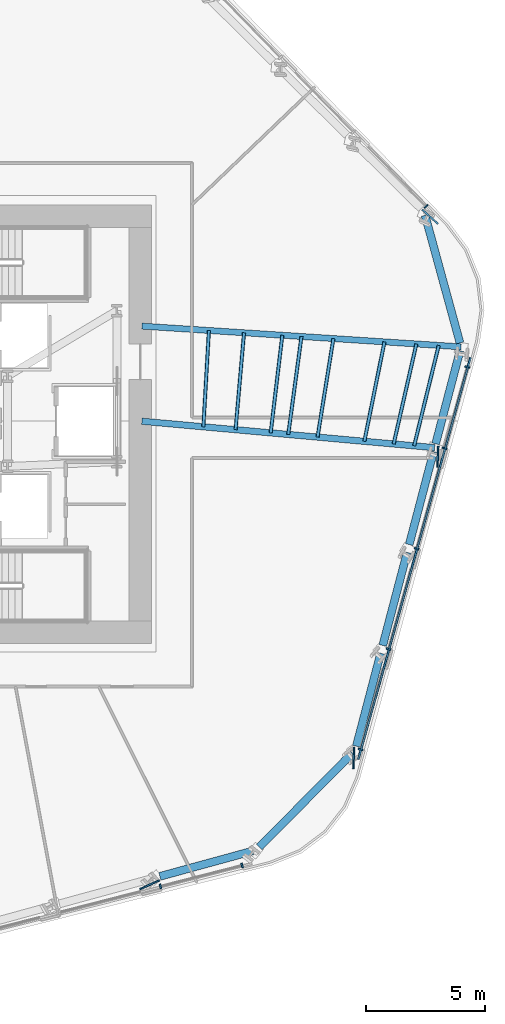
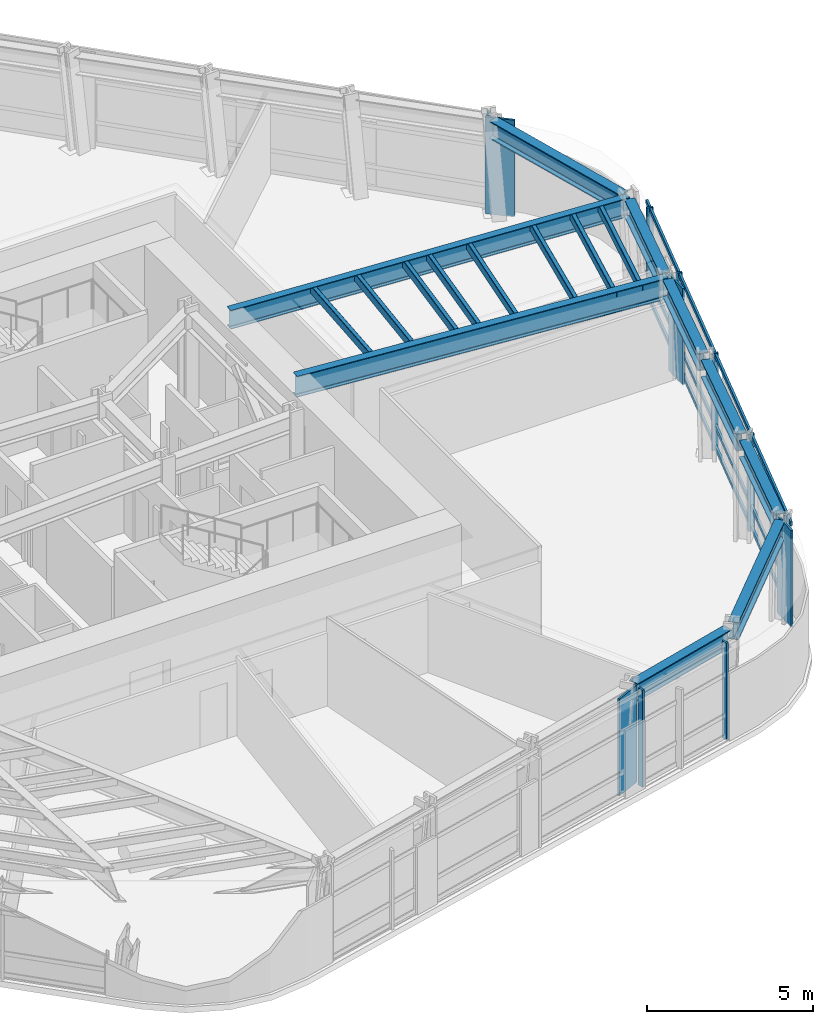
# One storey, part 5 of 17: 24 members, 9 beams, 3 elements without a shape of their own.
"""IFC4 building model written with IfcOpenShell, lengths in metres."""

from ifc_helpers import new_model, si_unit, direction, frame, origin, origin_2d, place, context, subcontext, project, spatial, rectangle, hollow_rectangle, i_section, extrude, material, layer, layer_set, material_profile, profile_set, type_object, element, aggregate, save


model = new_model("IFC4")

# Units and contexts
model_context = context("Model", 3, precision=1e-05, world=origin(), true_north=direction((0.0, 1.0)))
body_context = subcontext(model_context, "Body", "Model", "MODEL_VIEW")
ifc_project = project(units=[si_unit("LENGTHUNIT", "METRE"), si_unit("AREAUNIT", "SQUARE_METRE"), si_unit("VOLUMEUNIT", "CUBIC_METRE"), si_unit("PLANEANGLEUNIT", "RADIAN"), si_unit("MASSUNIT", "GRAM", prefix="KILO")], contexts=[model_context])

# Site, building, storey
site_placement = place(None, origin())
site = spatial("IfcSite", under=ifc_project, at=site_placement, CompositionType="ELEMENT")
building_placement = place(site_placement, origin())
building = spatial("IfcBuilding", under=site, at=building_placement, Name="Valkerne Bourse Tower", CompositionType="ELEMENT")
storey_placement = place(building_placement, frame((0.0, 0.0, 85.800048828125)))
storey = spatial("IfcBuildingStorey", under=building, at=storey_placement, Name="L21", CompositionType="ELEMENT", Elevation=85.800048828125)

# Beams
ifc_material_1 = material(Name="Steel ASTM A992", Category="steel")
ifc_material_profile_1 = material_profile(ifc_material_1, i_section(OverallWidth=0.330078125, OverallDepth=0.647705078125, WebThickness=0.0205078125, FlangeThickness=0.037109375, FilletRadius=0.020263671875, at=origin_2d()), Name="W24X192")
ifc_profile_set_1 = profile_set([ifc_material_profile_1], Name="Steel ASTM A992")
beam_type_1 = type_object("IfcBeamType", Name="BM-W24X192", PredefinedType="SPANDREL", material=ifc_profile_set_1)
beam_1_placement = place(storey_placement, frame((56.756103515625, 7.861083984375, 3.256103515625), z_axis=(0.964553089096, 0.263888874936, 0.0), x_axis=(-0.263888874936, 0.964553089096, 0.0)))
element("IfcBeam", 1, at=beam_1_placement, inside=storey, type_object=beam_type_1, Name="L21 Hexagonal Spandrel Ring Beam 23", PredefinedType="SPANDREL", context=body_context, shape_type="SweptSolid", body=[
    extrude(i_section(OverallWidth=0.330078125, OverallDepth=0.647705078125, WebThickness=0.0205078125, FlangeThickness=0.037109375, FilletRadius=0.020263671875, at=origin_2d()), origin(), (0.0, 0.0, 1.0), 4.04296875),
])
beam_2_placement = place(storey_placement, frame((60.939453125, 9.093505859375, 3.256103515625), z_axis=(0.703367764638, 0.710826130406, 0.0), x_axis=(-0.710826130406, 0.703367764638, 0.0)))
element("IfcBeam", 2, at=beam_2_placement, inside=storey, type_object=beam_type_1, Name="L21 Hexagonal Spandrel Ring Beam 24", PredefinedType="SPANDREL", context=body_context, shape_type="SweptSolid", body=[
    extrude(i_section(OverallWidth=0.330078125, OverallDepth=0.647705078125, WebThickness=0.0205078125, FlangeThickness=0.037109375, FilletRadius=0.020263671875, at=origin_2d()), origin(), (0.0, 0.0, 1.0), 5.564697265625),
])
for number, where, z_axis, x_axis, name in (
    (3, (65.01611328125, 13.334228515625, 3.256103515625), (0.25374417972, 0.967271363816, 0.0), (-0.967271363816, 0.25374417972, 0.0), "L21 Hexagonal Spandrel Ring Beam 25"),
    (4, (66.12841796875, 17.57373046875, 3.256103515625), (0.25374417972, 0.967271363816, 0.0), (-0.967271363816, 0.25374417972, 0.0), "L21 Hexagonal Spandrel Ring Beam 26"),
):
    element("IfcBeam", number, at=place(storey_placement, frame(where, z_axis=z_axis, x_axis=x_axis)), inside=storey, type_object=beam_type_1, Name=name, PredefinedType="SPANDREL", context=body_context, shape_type="SweptSolid", body=[
        extrude(i_section(OverallWidth=0.330078125, OverallDepth=0.647705078125, WebThickness=0.0205078125, FlangeThickness=0.037109375, FilletRadius=0.020263671875, at=origin_2d()), origin(), (0.0, 0.0, 1.0), 4.04296875),
    ])
beam_3_placement = place(storey_placement, frame((67.240478515625, 21.813232421875, 3.256103515625), z_axis=(0.253785853646, 0.96726043054, 0.0), x_axis=(-0.96726043054, 0.253785853646, 0.0)))
element("IfcBeam", 5, at=beam_3_placement, inside=storey, type_object=beam_type_1, Name="L21 Hexagonal Spandrel Ring Beam 27", PredefinedType="SPANDREL", context=body_context, shape_type="SweptSolid", body=[
    extrude(i_section(OverallWidth=0.330078125, OverallDepth=0.647705078125, WebThickness=0.0205078125, FlangeThickness=0.037109375, FilletRadius=0.020263671875, at=origin_2d()), origin(), (0.0, 0.0, 1.0), 4.043212890625),
])
beam_4_placement = place(storey_placement, frame((68.352783203125, 26.052734375, 3.256103515625), z_axis=(0.253800676893, 0.967256541156, 0.0), x_axis=(-0.967256541156, 0.253800676893, 0.0)))
element("IfcBeam", 6, at=beam_4_placement, inside=storey, type_object=beam_type_1, Name="L21 Hexagonal Spandrel Ring Beam 28", PredefinedType="SPANDREL", context=body_context, shape_type="SweptSolid", body=[
    extrude(i_section(OverallWidth=0.330078125, OverallDepth=0.647705078125, WebThickness=0.0205078125, FlangeThickness=0.037109375, FilletRadius=0.020263671875, at=origin_2d()), origin(), (0.0, 0.0, 1.0), 4.04296875),
])
beam_5_placement = place(storey_placement, frame((69.376953125, 30.2919921875, 3.256103515625), z_axis=(-0.263867259854, 0.964559002434, 0.0), x_axis=(-0.964559002434, -0.263867259854, 0.0)))
element("IfcBeam", 7, at=beam_5_placement, inside=storey, type_object=beam_type_1, Name="L21 Hexagonal Spandrel Ring Beam 29", PredefinedType="SPANDREL", context=body_context, shape_type="SweptSolid", body=[
    extrude(i_section(OverallWidth=0.330078125, OverallDepth=0.647705078125, WebThickness=0.0205078125, FlangeThickness=0.037109375, FilletRadius=0.020263671875, at=origin_2d()), origin(), (0.0, 0.0, 1.0), 5.564453125),
])
ifc_material_profile_2 = material_profile(ifc_material_1, i_section(OverallWidth=0.255859375, OverallDepth=0.693359375, WebThickness=0.014404296875, FlangeThickness=0.023681640625, FilletRadius=0.02294921875, at=origin_2d()), Name="W27X114")
ifc_profile_set_2 = profile_set([ifc_material_profile_2], Name="Steel ASTM A992")
beam_type_2 = type_object("IfcBeamType", Name="BM-W27X114", PredefinedType="BEAM", material=ifc_profile_set_2)
beam_6_placement = place(storey_placement, frame((69.421875, 30.1279296875, 3.233154296875), z_axis=(-0.997895861994, 0.064837092896, 0.0), x_axis=(-0.064837092896, -0.997895861994, 0.0)))
element("IfcBeam", 8, at=beam_6_placement, inside=storey, type_object=beam_type_2, Name="L21 Radial Composite Floor Beam 29", PredefinedType="BEAM", context=body_context, shape_type="SweptSolid", body=[
    extrude(i_section(OverallWidth=0.255859375, OverallDepth=0.693359375, WebThickness=0.014404296875, FlangeThickness=0.023681640625, FilletRadius=0.02294921875, at=origin_2d()), origin(), (0.0, 0.0, 1.0), 13.4501953125),
])
ifc_material_profile_3 = material_profile(ifc_material_1, i_section(OverallWidth=0.26806640625, OverallDepth=0.76953125, WebThickness=0.015625, FlangeThickness=0.025390625, FilletRadius=0.025390625, at=origin_2d()), Name="W30X132")
ifc_profile_set_3 = profile_set([ifc_material_profile_3], Name="Steel ASTM A992")
beam_type_3 = type_object("IfcBeamType", Name="BM-W30X132", PredefinedType="BEAM", material=ifc_profile_set_3)
beam_7_placement = place(storey_placement, frame((68.309814453125, 25.888427734375, 3.195068359375), z_axis=(-0.995947749058, 0.089933759772, 0.0), x_axis=(-0.089933759772, -0.995947749058, 0.0)))
element("IfcBeam", 9, at=beam_7_placement, inside=storey, type_object=beam_type_3, Name="L21 Radial Composite Floor Beam 28", PredefinedType="BEAM", context=body_context, shape_type="SweptSolid", body=[
    extrude(i_section(OverallWidth=0.26806640625, OverallDepth=0.76953125, WebThickness=0.015625, FlangeThickness=0.025390625, FilletRadius=0.025390625, at=origin_2d()), origin(), (0.0, 0.0, 1.0), 12.35986328125),
])

# Curtain wall, member
ifc_material_2 = material(Name="Aluminium AA 6063-T6", Category="aluminium")
ifc_layer = layer(ifc_material_2, 0.22998046875)
ifc_layer_set = layer_set([ifc_layer], Name="Aluminium AA 6063-T6")
curtain_wall_type = type_object("IfcCurtainWallType", Name="CW-02", PredefinedType="NOTDEFINED", material=ifc_layer_set)
curtain_wall_1_placement = place(storey_placement, origin())
curtain_wall_1 = element("IfcCurtainWall", 10, at=curtain_wall_1_placement, inside=storey, type_object=curtain_wall_type, Name="L21 Hexagonal Stick Curtain Wall Face 1", PredefinedType="NOTDEFINED")
ifc_material_profile_4 = material_profile(ifc_material_2, rectangle(XDim=0.074951171875, YDim=0.199951171875, at=origin_2d()), Name="CWM-75X200")
ifc_profile_set_4 = profile_set([ifc_material_profile_4], Name="Aluminium AA 6063-T6")
member_type_1 = type_object("IfcMemberType", Name="CW-MUL-220X75", PredefinedType="MULLION", material=ifc_profile_set_4)
member_1_placement = place(storey_placement, frame((67.948974609375, 36.029296875, 0.0), z_axis=(0.0, 0.0, 1.0), x_axis=(-0.699652940841, 0.714482863596, 0.0)))
member_1 = element("IfcMember", 11, at=member_1_placement, type_object=member_type_1, Name="CW-L21-F1 Jamb Mullion 00A", PredefinedType="MULLION", context=body_context, shape_type="SweptSolid", body=[
    extrude(rectangle(XDim=0.074951171875, YDim=0.199951171875, at=origin_2d()), origin(), (0.0, 0.0, 1.0), 3.579833984375),
])
aggregate(curtain_wall_1, [member_1])

# Curtain wall, members
curtain_wall_2_placement = place(storey_placement, origin())
curtain_wall_2 = element("IfcCurtainWall", 12, at=curtain_wall_2_placement, inside=storey, type_object=curtain_wall_type, Name="L21 Hexagonal Stick Curtain Wall Face 5", PredefinedType="NOTDEFINED")
member_2_placement = place(storey_placement, frame((56.781005859375, 7.43994140625, 0.0), z_axis=(0.0, 0.0, 1.0), x_axis=(0.96858358851, 0.248688222617, 0.0)))
member_2 = element("IfcMember", 13, at=member_2_placement, type_object=member_type_1, Name="CW-L21-F5 Jamb Mullion 03A", PredefinedType="MULLION", context=body_context, shape_type="SweptSolid", body=[
    extrude(rectangle(XDim=0.074951171875, YDim=0.199951171875, at=origin_2d()), origin(), (0.0, 0.0, 1.0), 3.579833984375),
])
member_3_placement = place(storey_placement, frame((60.212646484375, 8.321044921875, 0.0), z_axis=(0.0, 0.0, 1.0), x_axis=(0.96858358851, 0.248688222617, 0.0)))
member_3 = element("IfcMember", 14, at=member_3_placement, type_object=member_type_1, Name="CW-L21-F5 Jamb Mullion 03B", PredefinedType="MULLION", context=body_context, shape_type="SweptSolid", body=[
    extrude(rectangle(XDim=0.074951171875, YDim=0.199951171875, at=origin_2d()), origin(), (0.0, 0.0, 1.0), 3.579833984375),
])
aggregate(curtain_wall_2, [member_2, member_3])

curtain_wall_3_placement = place(storey_placement, origin())
curtain_wall_3 = element("IfcCurtainWall", 15, at=curtain_wall_3_placement, inside=storey, type_object=curtain_wall_type, Name="L21 Hexagonal Stick Curtain Wall Face 6", PredefinedType="NOTDEFINED")
member_4_placement = place(storey_placement, frame((65.194091796875, 13.19921875, 0.0), z_axis=(0.0, 0.0, 1.0), x_axis=(0.268900369917, 0.963167997318, 0.0)))
member_4 = element("IfcMember", 16, at=member_4_placement, type_object=member_type_1, Name="CW-L21-F6 Jamb Mullion 00A", PredefinedType="MULLION", context=body_context, shape_type="SweptSolid", body=[
    extrude(rectangle(XDim=0.074951171875, YDim=0.199951171875, at=origin_2d()), origin(), (0.0, 0.0, 1.0), 3.579833984375),
])
member_5_placement = place(storey_placement, frame((66.37255859375, 17.420654296875, 0.0), z_axis=(0.0, 0.0, 1.0), x_axis=(0.268927444827, 0.963160438047, 0.0)))
member_5 = element("IfcMember", 17, at=member_5_placement, type_object=member_type_1, Name="CW-L21-F6 Jamb Mullion 01A", PredefinedType="MULLION", context=body_context, shape_type="SweptSolid", body=[
    extrude(rectangle(XDim=0.074951171875, YDim=0.199951171875, at=origin_2d()), origin(), (0.0, 0.0, 1.0), 3.579833984375),
])
member_6_placement = place(storey_placement, frame((67.55126953125, 21.64208984375, 0.0), z_axis=(0.0, 0.0, 1.0), x_axis=(0.268927444827, 0.963160438047, 0.0)))
member_6 = element("IfcMember", 18, at=member_6_placement, type_object=member_type_1, Name="CW-L21-F6 Jamb Mullion 02A", PredefinedType="MULLION", context=body_context, shape_type="SweptSolid", body=[
    extrude(rectangle(XDim=0.074951171875, YDim=0.199951171875, at=origin_2d()), origin(), (0.0, 0.0, 1.0), 3.579833984375),
])
member_7_placement = place(storey_placement, frame((68.72998046875, 25.86376953125, 0.0), z_axis=(0.0, 0.0, 1.0), x_axis=(0.268921535255, 0.96316208806, 0.0)))
member_7 = element("IfcMember", 19, at=member_7_placement, type_object=member_type_1, Name="CW-L21-F6 Jamb Mullion 03A", PredefinedType="MULLION", context=body_context, shape_type="SweptSolid", body=[
    extrude(rectangle(XDim=0.074951171875, YDim=0.199951171875, at=origin_2d()), origin(), (0.0, 0.0, 1.0), 3.579833984375),
])
member_8_placement = place(storey_placement, frame((69.682861328125, 29.276123046875, 0.0), z_axis=(0.0, 0.0, 1.0), x_axis=(0.268921535255, 0.96316208806, 0.0)))
member_8 = element("IfcMember", 20, at=member_8_placement, type_object=member_type_1, Name="CW-L21-F6 Jamb Mullion 03B", PredefinedType="MULLION", context=body_context, shape_type="SweptSolid", body=[
    extrude(rectangle(XDim=0.074951171875, YDim=0.199951171875, at=origin_2d()), origin(), (0.0, 0.0, 1.0), 3.579833984375),
])
ifc_material_profile_5 = material_profile(ifc_material_2, rectangle(XDim=0.074951171875, YDim=0.14990234375, at=origin_2d()), Name="CWT-75X150")
ifc_profile_set_5 = profile_set([ifc_material_profile_5], Name="Aluminium AA 6063-T6")
member_type_2 = type_object("IfcMemberType", Name="CW-TRN-180X65", PredefinedType="USERDEFINED", material=ifc_profile_set_5)
member_9_placement = place(storey_placement, frame((65.100341796875, 12.789306640625, 0.119873046875), z_axis=(0.268917043327, 0.963163342226, 0.0), x_axis=(-0.963163342226, 0.268917043327, 0.0)))
member_9 = element("IfcMember", 21, at=member_9_placement, type_object=member_type_2, Name="CW-L21-F6 Continuous Face Transom 1", ObjectType="TRANSOM", PredefinedType="USERDEFINED", context=body_context, shape_type="SweptSolid", body=[
    extrude(rectangle(XDim=0.074951171875, YDim=0.14990234375, at=origin_2d()), origin(), (0.0, 0.0, 1.0), 17.53173828125),
])
member_10_placement = place(storey_placement, frame((65.100341796875, 12.789306640625, 0.89990234375), z_axis=(0.268917043327, 0.963163342226, 0.0), x_axis=(-0.963163342226, 0.268917043327, 0.0)))
member_10 = element("IfcMember", 22, at=member_10_placement, type_object=member_type_2, Name="CW-L21-F6 Continuous Face Transom 2", ObjectType="TRANSOM", PredefinedType="USERDEFINED", context=body_context, shape_type="SweptSolid", body=[
    extrude(rectangle(XDim=0.074951171875, YDim=0.14990234375, at=origin_2d()), origin(), (0.0, 0.0, 1.0), 17.53173828125),
])
member_11_placement = place(storey_placement, frame((65.100341796875, 12.789306640625, 2.39990234375), z_axis=(0.268917043327, 0.963163342226, 0.0), x_axis=(-0.963163342226, 0.268917043327, 0.0)))
member_11 = element("IfcMember", 23, at=member_11_placement, type_object=member_type_2, Name="CW-L21-F6 Continuous Face Transom 3", ObjectType="TRANSOM", PredefinedType="USERDEFINED", context=body_context, shape_type="SweptSolid", body=[
    extrude(rectangle(XDim=0.074951171875, YDim=0.14990234375, at=origin_2d()), origin(), (0.0, 0.0, 1.0), 17.53173828125),
])
member_12_placement = place(storey_placement, frame((65.100341796875, 12.789306640625, 3.5), z_axis=(0.268917043327, 0.963163342226, 0.0), x_axis=(-0.963163342226, 0.268917043327, 0.0)))
member_12 = element("IfcMember", 24, at=member_12_placement, type_object=member_type_2, Name="CW-L21-F6 Continuous Face Transom 4", ObjectType="TRANSOM", PredefinedType="USERDEFINED", context=body_context, shape_type="SweptSolid", body=[
    extrude(rectangle(XDim=0.074951171875, YDim=0.14990234375, at=origin_2d()), origin(), (0.0, 0.0, 1.0), 17.53173828125),
])
aggregate(curtain_wall_3, [member_9, member_10, member_11, member_12, member_4, member_5, member_6, member_7, member_8])

# Members
ifc_material_3 = material(Name="Bronze Anodised Aluminium AA 6063-T6", Category="aluminium")
ifc_material_profile_6 = material_profile(ifc_material_3, rectangle(XDim=0.070068359375, YDim=0.89990234375, at=origin_2d()), Name="FIN-70X900")
ifc_profile_set_6 = profile_set([ifc_material_profile_6], Name="Bronze Anodised Aluminium AA 6063-T6")
member_type_3 = type_object("IfcMemberType", Name="FIN-SOLAR-900", PredefinedType="USERDEFINED", material=ifc_profile_set_6)
for number, where, z_axis, x_axis, name in (
    (25, (68.114013671875, 35.60302734375, 0.00390625), (0.0, 0.0, 1.0), (0.671591622743, 0.740921515588, 0.0), "L21 Bronze Anodised Solar Fin F1-00"),
    (26, (56.329345703125, 7.509765625, 0.00390625), (0.0, 0.0, 1.0), (0.413957031705, -0.910296421998, 0.0), "L21 Bronze Anodised Solar Fin F5-03"),
    (27, (64.90771484375, 12.843017578125, 0.00390625), (0.0, 0.0, 1.0), (0.999306120683, -0.037246169813, 0.0), "L21 Bronze Anodised Solar Fin F6-00"),
    (28, (68.443603515625, 25.507568359375, 0.00390625), (0.0, 0.0, 1.0), (0.999305356788, -0.037266659287, 0.0), "L21 Bronze Anodised Solar Fin F6-03"),
):
    element("IfcMember", number, at=place(storey_placement, frame(where, z_axis=z_axis, x_axis=x_axis)), inside=storey, type_object=member_type_3, Name=name, ObjectType="SOLAR_FIN", PredefinedType="USERDEFINED", context=body_context, shape_type="SweptSolid", body=[
        extrude(rectangle(XDim=0.070068359375, YDim=0.89990234375, at=origin_2d()), origin(), (0.0, 0.0, 1.0), 3.572021484375),
    ])
ifc_material_4 = material(Name="Steel ASTM A500 Grade C", Category="steel")
ifc_material_profile_7 = material_profile(ifc_material_4, hollow_rectangle(XDim=0.14990234375, YDim=0.300048828125, WallThickness=0.012451171875, OuterFilletRadius=0.02490234375, at=origin_2d()), Name="HSS300X150X12.5")
ifc_profile_set_7 = profile_set([ifc_material_profile_7], Name="Steel ASTM A500 Grade C")
member_type_4 = type_object("IfcMemberType", Name="MBR-HSS300X150X12.5", PredefinedType="PURLIN", material=ifc_profile_set_7)
member_13_placement = place(storey_placement, frame((59.939208984375, 26.644287109375, 3.419921875), z_axis=(0.086925677492, 0.996214799425, 0.0), x_axis=(-0.996214799425, 0.086925677492, 0.0)))
element("IfcMember", 29, at=member_13_placement, inside=storey, type_object=member_type_4, Name="L21 Secondary Composite Floor Purlin I-28", PredefinedType="PURLIN", context=body_context, shape_type="SweptSolid", body=[
    extrude(hollow_rectangle(XDim=0.14990234375, YDim=0.300048828125, WallThickness=0.012451171875, OuterFilletRadius=0.02490234375, at=origin_2d()), origin(), (0.0, 0.0, 1.0), 4.092041015625),
])
member_14_placement = place(storey_placement, frame((61.416259765625, 26.510986328125, 3.419921875), z_axis=(0.118341821296, 0.992972916716, 0.0), x_axis=(-0.992972916716, 0.118341821296, 0.0)))
element("IfcMember", 30, at=member_14_placement, inside=storey, type_object=member_type_4, Name="L21 Secondary Composite Floor Purlin K-28", PredefinedType="PURLIN", context=body_context, shape_type="SweptSolid", body=[
    extrude(hollow_rectangle(XDim=0.14990234375, YDim=0.300048828125, WallThickness=0.012451171875, OuterFilletRadius=0.02490234375, at=origin_2d()), origin(), (0.0, 0.0, 1.0), 4.13427734375),
])
member_15_placement = place(storey_placement, frame((62.15478515625, 26.444091796875, 3.419921875), z_axis=(0.133779166817, 0.99101116771, 0.0), x_axis=(-0.99101116771, 0.133779166817, 0.0)))
element("IfcMember", 31, at=member_15_placement, inside=storey, type_object=member_type_4, Name="L21 Secondary Composite Floor Purlin M-28", PredefinedType="PURLIN", context=body_context, shape_type="SweptSolid", body=[
    extrude(hollow_rectangle(XDim=0.14990234375, YDim=0.300048828125, WallThickness=0.012451171875, OuterFilletRadius=0.02490234375, at=origin_2d()), origin(), (0.0, 0.0, 1.0), 4.1572265625),
])
member_16_placement = place(storey_placement, frame((65.35546875, 26.1552734375, 3.419921875), z_axis=(0.198107546411, 0.980180289567, 0.0), x_axis=(-0.980180289567, 0.198107546411, 0.0)))
element("IfcMember", 32, at=member_16_placement, inside=storey, type_object=member_type_4, Name="L21 Secondary Composite Floor Purlin O-28", PredefinedType="PURLIN", context=body_context, shape_type="SweptSolid", body=[
    extrude(hollow_rectangle(XDim=0.14990234375, YDim=0.300048828125, WallThickness=0.012451171875, OuterFilletRadius=0.02490234375, at=origin_2d()), origin(), (0.0, 0.0, 1.0), 4.266357421875),
])
member_17_placement = place(storey_placement, frame((63.3857421875, 26.3330078125, 3.419921875), z_axis=(0.158972742758, 0.987282972131, 0.0), x_axis=(-0.987282972131, 0.158972742758, 0.0)))
element("IfcMember", 33, at=member_17_placement, inside=storey, type_object=member_type_4, Name="L21 Secondary Composite Floor Purlin Z-28", PredefinedType="PURLIN", context=body_context, shape_type="SweptSolid", body=[
    extrude(hollow_rectangle(XDim=0.14990234375, YDim=0.300048828125, WallThickness=0.012451171875, OuterFilletRadius=0.02490234375, at=origin_2d()), origin(), (0.0, 0.0, 1.0), 4.197265625),
])
member_18_placement = place(storey_placement, frame((58.5849609375, 26.7666015625, 3.419921875), z_axis=(0.057589614602, 0.998340340911, 0.0), x_axis=(-0.998340340911, 0.057589614602, 0.0)))
element("IfcMember", 34, at=member_18_placement, inside=storey, type_object=member_type_4, Name="L21 Secondary Composite Floor Purlin S-28", PredefinedType="PURLIN", context=body_context, shape_type="SweptSolid", body=[
    extrude(hollow_rectangle(XDim=0.14990234375, YDim=0.300048828125, WallThickness=0.012451171875, OuterFilletRadius=0.02490234375, at=origin_2d()), origin(), (0.0, 0.0, 1.0), 4.05712890625),
])
member_19_placement = place(storey_placement, frame((66.586181640625, 26.0439453125, 3.419921875), z_axis=(0.221758097431, 0.975101710707, 0.0), x_axis=(-0.975101710707, 0.221758097431, 0.0)))
element("IfcMember", 35, at=member_19_placement, inside=storey, type_object=member_type_4, Name="L21 Secondary Composite Floor Purlin T-28", PredefinedType="PURLIN", context=body_context, shape_type="SweptSolid", body=[
    extrude(hollow_rectangle(XDim=0.14990234375, YDim=0.300048828125, WallThickness=0.012451171875, OuterFilletRadius=0.02490234375, at=origin_2d()), origin(), (0.0, 0.0, 1.0), 4.3134765625),
])
member_20_placement = place(storey_placement, frame((67.447998046875, 25.96630859375, 3.419921875), z_axis=(0.237934682265, 0.971281157531, 0.0), x_axis=(-0.971281157531, 0.237934682265, 0.0)))
element("IfcMember", 36, at=member_20_placement, inside=storey, type_object=member_type_4, Name="L21 Secondary Composite Floor Purlin U-28", PredefinedType="PURLIN", context=body_context, shape_type="SweptSolid", body=[
    extrude(hollow_rectangle(XDim=0.14990234375, YDim=0.300048828125, WallThickness=0.012451171875, OuterFilletRadius=0.02490234375, at=origin_2d()), origin(), (0.0, 0.0, 1.0), 4.347412109375),
])

save(model, "model.ifc")
